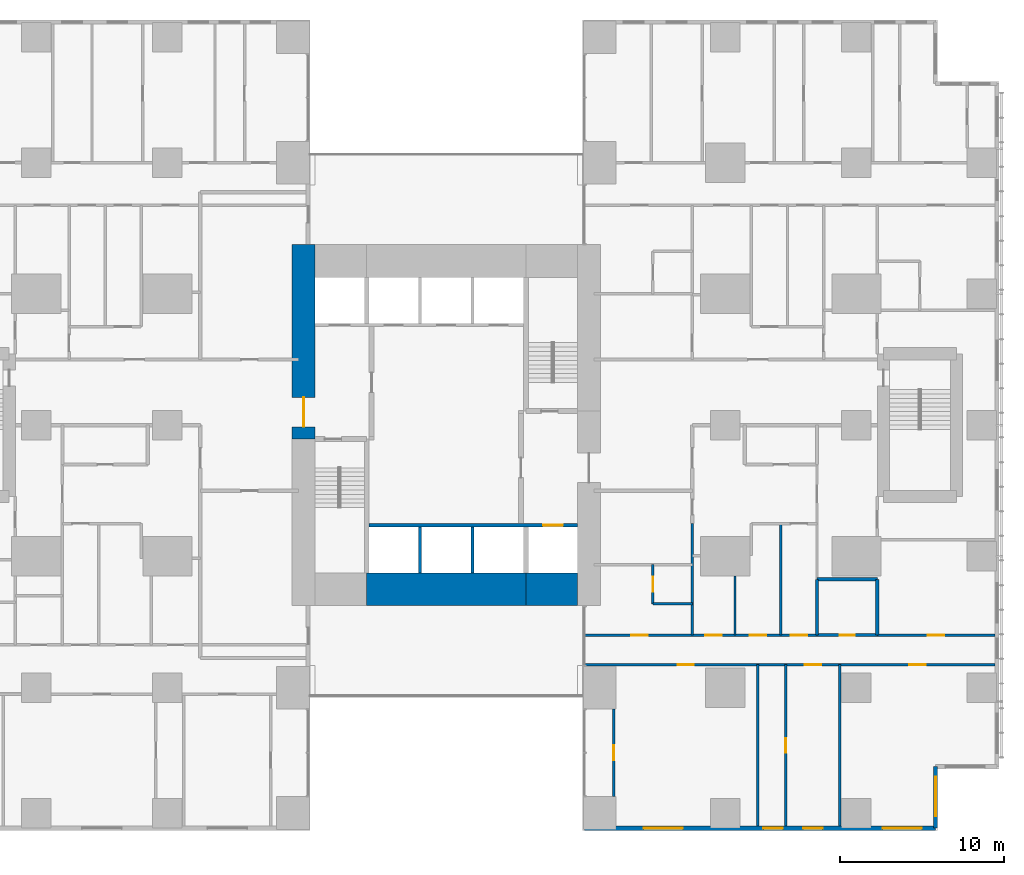
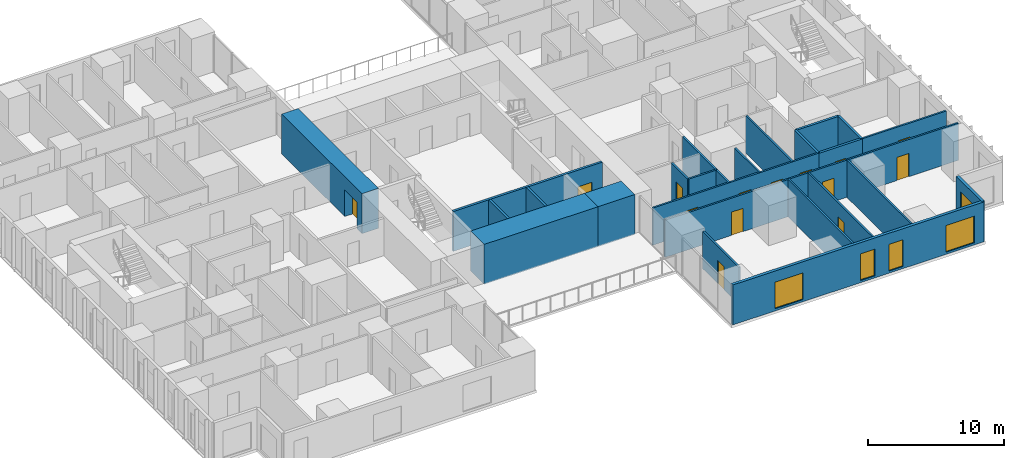
# One storey, part 14 of 20: 24 walls, 14 doors, 5 windows, 19 openings.
"""IFC4 building model written with IfcOpenShell, lengths in metres."""

from ifc_helpers import new_model, si_unit, direction, frame, frame_2d, origin, place, context, subcontext, project, spatial, rectangle, extrude, material, layer, layer_set, type_object, element, fill, save


model = new_model("IFC4")

# Units and contexts
model_context = context("Model", 3, precision=1e-05, world=origin(), true_north=direction((0.0, 1.0)))
body_context = subcontext(model_context, "Body", "Model", "MODEL_VIEW")
ifc_project = project(units=[si_unit("LENGTHUNIT", "METRE"), si_unit("AREAUNIT", "SQUARE_METRE"), si_unit("VOLUMEUNIT", "CUBIC_METRE"), si_unit("PLANEANGLEUNIT", "RADIAN"), si_unit("MASSUNIT", "GRAM", prefix="KILO")], contexts=[model_context])

# Site, building, storey
site_placement = place(None, origin())
site = spatial("IfcSite", under=ifc_project, at=site_placement, CompositionType="ELEMENT")
building_placement = place(site_placement, origin())
building = spatial("IfcBuilding", under=site, at=building_placement, Name="Cleftline Residences", CompositionType="ELEMENT")
storey_placement = place(building_placement, frame((0.0, 0.0, 182.199951171875)))
storey = spatial("IfcBuildingStorey", under=building, at=storey_placement, Name="L47", CompositionType="ELEMENT", Elevation=182.199951171875)

# Wall, opening, door
ifc_material_1 = material(Name="Concrete B70", Category="concrete")
ifc_layer_1 = layer(ifc_material_1, 1.39990234375)
ifc_layer_set_1 = layer_set([ifc_layer_1], Name="CORE WALL 1400")
wall_type_1 = type_object("IfcWallType", Name="CORE WALL 1400", PredefinedType="SHEAR", material=ifc_layer_set_1)
wall_1_placement = place(storey_placement, frame((24.300048828125, 23.14990234375, 0.0), z_axis=(0.0, 0.0, 1.0), x_axis=(0.0, 1.0, 0.0)))
wall_1 = element("IfcWall", 1, at=wall_1_placement, inside=storey, type_object=wall_type_1, Name="Core wall W", PredefinedType="SHEAR", context=body_context, shape_type="SweptSolid", body=[
    extrude(rectangle(XDim=11.85009765625, YDim=1.39990234375, at=frame_2d((5.925048828125, 0.0))), origin(), (0.0, 0.0, 1.0), 3.60009765625),
])
opening_1_placement = place(wall_1_placement, frame((0.75, 0.0, 0.0)))
opening_1 = element("IfcOpeningElement", 2, at=opening_1_placement, cuts=wall_1, Name="Opening D7", PredefinedType="OPENING", context=body_context, shape_type="SweptSolid", body=[
    extrude(rectangle(XDim=1.800048828125, YDim=2.39990234375, at=frame_2d((0.89990234375, 1.199951171875))), frame((0.0, 0.7099609375, 0.0), z_axis=(0.0, -1.0, 0.0), x_axis=(1.0, 0.0, 0.0)), (0.0, 0.0, 1.0), 1.419921875),
])
ifc_material_2 = material(Name="Steel", Category="steel")
door_type_1 = type_object("IfcDoorType", Name="WING DOOR 1800X2400", OperationType="DOUBLE_DOOR_DOUBLE_SWING", PredefinedType="DOOR", material=ifc_material_2)
door_1_placement = place(opening_1_placement, origin())
door_1 = element("IfcDoor", 3, at=door_1_placement, inside=storey, type_object=door_type_1, Name="West wing door", OperationType="DOUBLE_DOOR_DOUBLE_SWING", OverallHeight=2.39990234375, OverallWidth=1.800048828125, PredefinedType="DOOR", context=body_context, shape_type="SweptSolid", body=[
    extrude(rectangle(XDim=1.800048828125, YDim=2.39990234375, at=frame_2d((0.89990234375, 1.199951171875))), frame((0.0, 0.02490234375, 0.0), z_axis=(0.0, -1.0, 0.0), x_axis=(1.0, 0.0, 0.0)), (0.0, 0.0, 1.0), 0.050048828125),
])
fill(opening_1, door_1)

# Walls
ifc_material_3 = material(Name="Concrete B70", Category="concrete")
ifc_layer_2 = layer(ifc_material_3, 2.0)
ifc_layer_set_2 = layer_set([ifc_layer_2], Name="CORE WALL 2000")
wall_type_2 = type_object("IfcWallType", Name="CORE WALL 2000", PredefinedType="SHEAR", material=ifc_layer_set_2)
wall_2_placement = place(storey_placement, frame((28.14990234375, 14.0, 0.0), z_axis=(0.0, 0.0, 1.0), x_axis=(1.0, 0.0, 0.0)))
element("IfcWall", 4, at=wall_2_placement, inside=storey, type_object=wall_type_2, Name="Core wall S2", PredefinedType="SHEAR", context=body_context, shape_type="SweptSolid", body=[
    extrude(rectangle(XDim=9.7001953125, YDim=2.0, at=frame_2d((4.85009765625, 0.0))), origin(), (0.0, 0.0, 1.0), 3.60009765625),
])
wall_3_placement = place(storey_placement, frame((37.85009765625, 14.0, 0.0), z_axis=(0.0, 0.0, 1.0), x_axis=(1.0, 0.0, 0.0)))
element("IfcWall", 5, at=wall_3_placement, inside=storey, type_object=wall_type_2, Name="Core wall S3", PredefinedType="SHEAR", context=body_context, shape_type="SweptSolid", body=[
    extrude(rectangle(XDim=3.14990234375, YDim=2.0, at=frame_2d((1.574951171875, 0.0))), origin(), (0.0, 0.0, 1.0), 3.60009765625),
])

# Wall, openings, windows
ifc_material_4 = material(Name="Rendered reinforced concrete blockwork", Category="masonry")
ifc_layer_3 = layer(ifc_material_4, 0.25)
ifc_layer_set_3 = layer_set([ifc_layer_3], Name="EXTERNAL WALL 250")
wall_type_3 = type_object("IfcWallType", Name="EXTERNAL WALL 250", PredefinedType="SOLIDWALL", material=ifc_layer_set_3)
wall_4_placement = place(storey_placement, frame((41.425048828125, -0.574951171875, 0.0), z_axis=(0.0, 0.0, 1.0), x_axis=(1.0, 0.0, 0.0)))
wall_4 = element("IfcWall", 6, at=wall_4_placement, inside=storey, type_object=wall_type_3, Name="External wall", PredefinedType="SOLIDWALL", context=body_context, shape_type="SweptSolid", body=[
    extrude(rectangle(XDim=21.39990234375, YDim=0.25, at=frame_2d((10.699951171875, 0.0))), origin(), (0.0, 0.0, 1.0), 3.60009765625),
])
opening_2_placement = place(wall_4_placement, frame((3.60009765625, 0.0, 0.199951171875)))
opening_2 = element("IfcOpeningElement", 7, at=opening_2_placement, cuts=wall_4, Name="Opening W9", PredefinedType="OPENING", context=body_context, shape_type="SweptSolid", body=[
    extrude(rectangle(XDim=2.39990234375, YDim=2.39990234375, at=frame_2d((1.199951171875, 1.199951171875))), frame((0.0, 0.135009765625, 0.0), z_axis=(0.0, -1.0, 0.0), x_axis=(1.0, 0.0, 0.0)), (0.0, 0.0, 1.0), 0.27001953125),
])
opening_3_placement = place(wall_4_placement, frame((10.89990234375, 0.0, 0.199951171875)))
opening_3 = element("IfcOpeningElement", 8, at=opening_3_placement, cuts=wall_4, Name="Opening W13", PredefinedType="OPENING", context=body_context, shape_type="SweptSolid", body=[
    extrude(rectangle(XDim=1.199951171875, YDim=2.39990234375, at=frame_2d((0.60009765625, 1.199951171875))), frame((0.0, 0.135009765625, 0.0), z_axis=(0.0, -1.0, 0.0), x_axis=(1.0, 0.0, 0.0)), (0.0, 0.0, 1.0), 0.27001953125),
])
opening_4_placement = place(wall_4_placement, frame((13.324951171875, 0.0, 0.199951171875)))
opening_4 = element("IfcOpeningElement", 9, at=opening_4_placement, cuts=wall_4, Name="Opening W13", PredefinedType="OPENING", context=body_context, shape_type="SweptSolid", body=[
    extrude(rectangle(XDim=1.199951171875, YDim=2.39990234375, at=frame_2d((0.60009765625, 1.199951171875))), frame((0.0, 0.135009765625, 0.0), z_axis=(0.0, -1.0, 0.0), x_axis=(1.0, 0.0, 0.0)), (0.0, 0.0, 1.0), 0.27001953125),
])
opening_5_placement = place(wall_4_placement, frame((18.175048828125, 0.0, 0.199951171875)))
opening_5 = element("IfcOpeningElement", 10, at=opening_5_placement, cuts=wall_4, Name="Opening W9", PredefinedType="OPENING", context=body_context, shape_type="SweptSolid", body=[
    extrude(rectangle(XDim=2.39990234375, YDim=2.39990234375, at=frame_2d((1.199951171875, 1.199951171875))), frame((0.0, 0.135009765625, 0.0), z_axis=(0.0, -1.0, 0.0), x_axis=(1.0, 0.0, 0.0)), (0.0, 0.0, 1.0), 0.27001953125),
])
ifc_material_5 = material(Name="Aluminium frame, clear double glazing", Category="aluminium")
window_type_1 = type_object("IfcWindowType", Name="WINDOW 1200X2400", PartitioningType="DOUBLE_PANEL_VERTICAL", PredefinedType="WINDOW", material=ifc_material_5)
window_1_placement = place(opening_3_placement, origin())
window_1 = element("IfcWindow", 11, at=window_1_placement, inside=storey, type_object=window_type_1, Name="Window", OverallHeight=2.39990234375, OverallWidth=1.199951171875, PartitioningType="SINGLE_PANEL", PredefinedType="WINDOW", context=body_context, shape_type="SweptSolid", body=[
    extrude(rectangle(XDim=1.199951171875, YDim=2.39990234375, at=frame_2d((0.60009765625, 1.199951171875))), frame((0.0, 0.030029296875, 0.0), z_axis=(0.0, -1.0, 0.0), x_axis=(1.0, 0.0, 0.0)), (0.0, 0.0, 1.0), 0.06005859375),
])
fill(opening_3, window_1)
window_2_placement = place(opening_4_placement, origin())
window_2 = element("IfcWindow", 12, at=window_2_placement, inside=storey, type_object=window_type_1, Name="Window", OverallHeight=2.39990234375, OverallWidth=1.199951171875, PartitioningType="SINGLE_PANEL", PredefinedType="WINDOW", context=body_context, shape_type="SweptSolid", body=[
    extrude(rectangle(XDim=1.199951171875, YDim=2.39990234375, at=frame_2d((0.60009765625, 1.199951171875))), frame((0.0, 0.030029296875, 0.0), z_axis=(0.0, -1.0, 0.0), x_axis=(1.0, 0.0, 0.0)), (0.0, 0.0, 1.0), 0.06005859375),
])
fill(opening_4, window_2)
ifc_material_6 = material(Name="Aluminium frame, clear double glazing", Category="aluminium")
window_type_2 = type_object("IfcWindowType", Name="WINDOW 2400X2400", PartitioningType="DOUBLE_PANEL_VERTICAL", PredefinedType="WINDOW", material=ifc_material_6)
window_3_placement = place(opening_2_placement, origin())
window_3 = element("IfcWindow", 13, at=window_3_placement, inside=storey, type_object=window_type_2, Name="Window", OverallHeight=2.39990234375, OverallWidth=2.39990234375, PartitioningType="SINGLE_PANEL", PredefinedType="WINDOW", context=body_context, shape_type="SweptSolid", body=[
    extrude(rectangle(XDim=2.39990234375, YDim=2.39990234375, at=frame_2d((1.199951171875, 1.199951171875))), frame((0.0, 0.030029296875, 0.0), z_axis=(0.0, -1.0, 0.0), x_axis=(1.0, 0.0, 0.0)), (0.0, 0.0, 1.0), 0.06005859375),
])
fill(opening_2, window_3)
window_4_placement = place(opening_5_placement, origin())
window_4 = element("IfcWindow", 14, at=window_4_placement, inside=storey, type_object=window_type_2, Name="Window", OverallHeight=2.39990234375, OverallWidth=2.39990234375, PartitioningType="SINGLE_PANEL", PredefinedType="WINDOW", context=body_context, shape_type="SweptSolid", body=[
    extrude(rectangle(XDim=2.39990234375, YDim=2.39990234375, at=frame_2d((1.199951171875, 1.199951171875))), frame((0.0, 0.030029296875, 0.0), z_axis=(0.0, -1.0, 0.0), x_axis=(1.0, 0.0, 0.0)), (0.0, 0.0, 1.0), 0.06005859375),
])
fill(opening_5, window_4)

# Wall, opening, window
wall_5_placement = place(storey_placement, frame((62.824951171875, -0.574951171875, 0.0), z_axis=(0.0, 0.0, 1.0), x_axis=(0.0, 1.0, 0.0)))
wall_5 = element("IfcWall", 15, at=wall_5_placement, inside=storey, type_object=wall_type_3, Name="External wall", PredefinedType="SOLIDWALL", context=body_context, shape_type="SweptSolid", body=[
    extrude(rectangle(XDim=3.75, YDim=0.25, at=frame_2d((1.875, 0.0))), origin(), (0.0, 0.0, 1.0), 3.60009765625),
])
opening_6_placement = place(wall_5_placement, frame((0.737548828125, 0.0, 0.199951171875)))
opening_6 = element("IfcOpeningElement", 16, at=opening_6_placement, cuts=wall_5, Name="Opening W9", PredefinedType="OPENING", context=body_context, shape_type="SweptSolid", body=[
    extrude(rectangle(XDim=2.39990234375, YDim=2.39990234375, at=frame_2d((1.199951171875, 1.199951171875))), frame((0.0, 0.135009765625, 0.0), z_axis=(0.0, -1.0, 0.0), x_axis=(1.0, 0.0, 0.0)), (0.0, 0.0, 1.0), 0.27001953125),
])
window_5_placement = place(opening_6_placement, origin())
window_5 = element("IfcWindow", 17, at=window_5_placement, inside=storey, type_object=window_type_2, Name="Window", OverallHeight=2.39990234375, OverallWidth=2.39990234375, PartitioningType="SINGLE_PANEL", PredefinedType="WINDOW", context=body_context, shape_type="SweptSolid", body=[
    extrude(rectangle(XDim=2.39990234375, YDim=2.39990234375, at=frame_2d((1.199951171875, 1.199951171875))), frame((0.0, 0.030029296875, 0.0), z_axis=(0.0, -1.0, 0.0), x_axis=(1.0, 0.0, 0.0)), (0.0, 0.0, 1.0), 0.06005859375),
])
fill(opening_6, window_5)

# Wall, opening, door
ifc_material_7 = material(Name="Concrete blockwork, fire rated", Category="masonry")
ifc_layer_4 = layer(ifc_material_7, 0.199951171875)
ifc_layer_set_4 = layer_set([ifc_layer_4], Name="FIRE WALL 200")
wall_type_4 = type_object("IfcWallType", Name="FIRE WALL 200", PredefinedType="PARTITIONING", material=ifc_layer_set_4)
wall_6_placement = place(storey_placement, frame((55.60009765625, 11.199951171875, 0.0), z_axis=(0.0, 0.0, 1.0), x_axis=(1.0, 0.0, 0.0)))
wall_6 = element("IfcWall", 18, at=wall_6_placement, inside=storey, type_object=wall_type_4, Name="Fire separating wall", PredefinedType="PARTITIONING", context=body_context, shape_type="SweptSolid", body=[
    extrude(rectangle(XDim=3.6748046875, YDim=0.199951171875, at=frame_2d((1.83740234375, 0.0))), origin(), (0.0, 0.0, 1.0), 3.35009765625),
])
opening_7_placement = place(wall_6_placement, frame((1.387451171875, 0.0, 0.0)))
opening_7 = element("IfcOpeningElement", 19, at=opening_7_placement, cuts=wall_6, Name="Opening D1F30", PredefinedType="OPENING", context=body_context, shape_type="SweptSolid", body=[
    extrude(rectangle(XDim=0.89990234375, YDim=2.10009765625, at=frame_2d((0.449951171875, 1.050048828125))), frame((0.0, 0.10986328125, 0.0), z_axis=(0.0, -1.0, 0.0), x_axis=(1.0, 0.0, 0.0)), (0.0, 0.0, 1.0), 0.219970703125),
])
ifc_material_8 = material(Name="Timber veneer on solid core", Category="wood")
door_type_2 = type_object("IfcDoorType", Name="DOOR 900X2100 EI 30", OperationType="SINGLE_SWING_LEFT", PredefinedType="DOOR", material=ifc_material_8)
door_2_placement = place(opening_7_placement, origin())
door_2 = element("IfcDoor", 20, at=door_2_placement, inside=storey, type_object=door_type_2, Name="Door to guest wc", OperationType="SINGLE_SWING_LEFT", OverallHeight=2.10009765625, OverallWidth=0.89990234375, PredefinedType="DOOR", context=body_context, shape_type="SweptSolid", body=[
    extrude(rectangle(XDim=0.89990234375, YDim=2.10009765625, at=frame_2d((0.449951171875, 1.050048828125))), frame((0.0, 0.02490234375, 0.0), z_axis=(0.0, -1.0, 0.0), x_axis=(1.0, 0.0, 0.0)), (0.0, 0.0, 1.0), 0.050048828125),
])
fill(opening_7, door_2)

# Walls
wall_7_placement = place(storey_placement, frame((55.60009765625, 14.60009765625, 0.0), z_axis=(0.0, 0.0, 1.0), x_axis=(1.0, 0.0, 0.0)))
element("IfcWall", 21, at=wall_7_placement, inside=storey, type_object=wall_type_4, Name="Fire separating wall", PredefinedType="PARTITIONING", context=body_context, shape_type="SweptSolid", body=[
    extrude(rectangle(XDim=3.6748046875, YDim=0.199951171875, at=frame_2d((1.83740234375, 0.0))), origin(), (0.0, 0.0, 1.0), 3.35009765625),
])
for number, where, z_axis, x_axis, name in (
    (22, (55.60009765625, 11.199951171875, 0.0), (0.0, 0.0, 1.0), (0.0, 1.0, 0.0), "Fire separating wall"),
    (23, (59.27490234375, 11.199951171875, 0.0), (0.0, 0.0, 1.0), (0.0, 1.0, 0.0), "Fire separating wall"),
):
    element("IfcWall", number, at=place(storey_placement, frame(where, z_axis=z_axis, x_axis=x_axis)), inside=storey, type_object=wall_type_4, Name=name, PredefinedType="PARTITIONING", context=body_context, shape_type="SweptSolid", body=[
        extrude(rectangle(XDim=3.400146484375, YDim=0.199951171875, at=frame_2d((1.7001953125, 0.0))), origin(), (0.0, 0.0, 1.0), 3.35009765625),
    ])

# Wall, openings, doors
ifc_material_9 = material(Name="Gypsum board on steel studs", Category="steel")
ifc_layer_5 = layer(ifc_material_9, 0.14990234375)
ifc_layer_set_5 = layer_set([ifc_layer_5], Name="PARTITION 150")
wall_type_5 = type_object("IfcWallType", Name="PARTITION 150", PredefinedType="PARTITIONING", material=ifc_layer_set_5)
wall_8_placement = place(storey_placement, frame((41.43896484375, 9.39990234375, 0.0), z_axis=(0.0, 0.0, 1.0), x_axis=(1.0, 0.0, 0.0)))
wall_8 = element("IfcWall", 24, at=wall_8_placement, inside=storey, type_object=wall_type_5, Name="Partition", PredefinedType="PARTITIONING", context=body_context, shape_type="SweptSolid", body=[
    extrude(rectangle(XDim=25.010986328125, YDim=0.14990234375, at=frame_2d((12.50537109375, 0.0))), origin(), (0.0, 0.0, 1.0), 3.35009765625),
])
opening_8_placement = place(wall_8_placement, frame((19.785888671875, 0.0, 0.0)))
opening_8 = element("IfcOpeningElement", 25, at=opening_8_placement, cuts=wall_8, Name="Opening D2", PredefinedType="OPENING", context=body_context, shape_type="SweptSolid", body=[
    extrude(rectangle(XDim=1.0, YDim=2.10009765625, at=frame_2d((0.5, 1.050048828125))), frame((0.0, 0.0849609375, 0.0), z_axis=(0.0, -1.0, 0.0), x_axis=(1.0, 0.0, 0.0)), (0.0, 0.0, 1.0), 0.169921875),
])
opening_9_placement = place(wall_8_placement, frame((13.410888671875, 0.0, 0.0)))
opening_9 = element("IfcOpeningElement", 26, at=opening_9_placement, cuts=wall_8, Name="Opening D2", PredefinedType="OPENING", context=body_context, shape_type="SweptSolid", body=[
    extrude(rectangle(XDim=1.0, YDim=2.10009765625, at=frame_2d((0.5, 1.050048828125))), frame((0.0, 0.0849609375, 0.0), z_axis=(0.0, -1.0, 0.0), x_axis=(1.0, 0.0, 0.0)), (0.0, 0.0, 1.0), 0.169921875),
])
opening_10_placement = place(wall_8_placement, frame((5.660888671875, 0.0, 0.0)))
opening_10 = element("IfcOpeningElement", 27, at=opening_10_placement, cuts=wall_8, Name="Opening D2", PredefinedType="OPENING", context=body_context, shape_type="SweptSolid", body=[
    extrude(rectangle(XDim=1.0, YDim=2.10009765625, at=frame_2d((0.5, 1.050048828125))), frame((0.0, 0.0849609375, 0.0), z_axis=(0.0, -1.0, 0.0), x_axis=(1.0, 0.0, 0.0)), (0.0, 0.0, 1.0), 0.169921875),
])
ifc_material_10 = material(Name="Timber veneer on solid core", Category="wood")
door_type_3 = type_object("IfcDoorType", Name="DOOR 1000X2100", OperationType="SINGLE_SWING_LEFT", PredefinedType="DOOR", material=ifc_material_10)
door_3_placement = place(opening_8_placement, origin())
door_3 = element("IfcDoor", 28, at=door_3_placement, inside=storey, type_object=door_type_3, Name="Door to sea-view dining room", OperationType="SINGLE_SWING_LEFT", OverallHeight=2.10009765625, OverallWidth=1.0, PredefinedType="DOOR", context=body_context, shape_type="SweptSolid", body=[
    extrude(rectangle(XDim=1.0, YDim=2.10009765625, at=frame_2d((0.5, 1.050048828125))), frame((0.0, 0.02490234375, 0.0), z_axis=(0.0, -1.0, 0.0), x_axis=(1.0, 0.0, 0.0)), (0.0, 0.0, 1.0), 0.050048828125),
])
fill(opening_8, door_3)
door_4_placement = place(opening_9_placement, origin())
door_4 = element("IfcDoor", 29, at=door_4_placement, inside=storey, type_object=door_type_3, Name="Door to show kitchen", OperationType="SINGLE_SWING_LEFT", OverallHeight=2.10009765625, OverallWidth=1.0, PredefinedType="DOOR", context=body_context, shape_type="SweptSolid", body=[
    extrude(rectangle(XDim=1.0, YDim=2.10009765625, at=frame_2d((0.5, 1.050048828125))), frame((0.0, 0.02490234375, 0.0), z_axis=(0.0, -1.0, 0.0), x_axis=(1.0, 0.0, 0.0)), (0.0, 0.0, 1.0), 0.050048828125),
])
fill(opening_9, door_4)
door_5_placement = place(opening_10_placement, origin())
door_5 = element("IfcDoor", 30, at=door_5_placement, inside=storey, type_object=door_type_3, Name="Door to family room", OperationType="SINGLE_SWING_RIGHT", OverallHeight=2.10009765625, OverallWidth=1.0, PredefinedType="DOOR", context=body_context, shape_type="SweptSolid", body=[
    extrude(rectangle(XDim=1.0, YDim=2.10009765625, at=frame_2d((0.5, 1.050048828125))), frame((0.0, 0.02490234375, 0.0), z_axis=(0.0, -1.0, 0.0), x_axis=(1.0, 0.0, 0.0)), (0.0, 0.0, 1.0), 0.050048828125),
])
fill(opening_10, door_5)

wall_9_placement = place(storey_placement, frame((41.43896484375, 11.199951171875, 0.0), z_axis=(0.0, 0.0, 1.0), x_axis=(1.0, 0.0, 0.0)))
wall_9 = element("IfcWall", 31, at=wall_9_placement, inside=storey, type_object=wall_type_5, Name="Partition", PredefinedType="PARTITIONING", context=body_context, shape_type="SweptSolid", body=[
    extrude(rectangle(XDim=14.1611328125, YDim=0.14990234375, at=frame_2d((7.08056640625, 0.0))), origin(), (0.0, 0.0, 1.0), 3.35009765625),
])
opening_11_placement = place(wall_9_placement, frame((12.56103515625, 0.0, 0.0)))
opening_11 = element("IfcOpeningElement", 32, at=opening_11_placement, cuts=wall_9, Name="Opening D2F30", PredefinedType="OPENING", context=body_context, shape_type="SweptSolid", body=[
    extrude(rectangle(XDim=1.0, YDim=2.10009765625, at=frame_2d((0.5, 1.050048828125))), frame((0.0, 0.0849609375, 0.0), z_axis=(0.0, -1.0, 0.0), x_axis=(1.0, 0.0, 0.0)), (0.0, 0.0, 1.0), 0.169921875),
])
opening_12_placement = place(wall_9_placement, frame((10.06103515625, 0.0, 0.0)))
opening_12 = element("IfcOpeningElement", 33, at=opening_12_placement, cuts=wall_9, Name="Opening D2F30", PredefinedType="OPENING", context=body_context, shape_type="SweptSolid", body=[
    extrude(rectangle(XDim=1.0, YDim=2.10009765625, at=frame_2d((0.5, 1.050048828125))), frame((0.0, 0.0849609375, 0.0), z_axis=(0.0, -1.0, 0.0), x_axis=(1.0, 0.0, 0.0)), (0.0, 0.0, 1.0), 0.169921875),
])
opening_13_placement = place(wall_9_placement, frame((7.361083984375, 0.0, 0.0)))
opening_13 = element("IfcOpeningElement", 34, at=opening_13_placement, cuts=wall_9, Name="Opening D2F30", PredefinedType="OPENING", context=body_context, shape_type="SweptSolid", body=[
    extrude(rectangle(XDim=1.0, YDim=2.10009765625, at=frame_2d((0.5, 1.050048828125))), frame((0.0, 0.0849609375, 0.0), z_axis=(0.0, -1.0, 0.0), x_axis=(1.0, 0.0, 0.0)), (0.0, 0.0, 1.0), 0.169921875),
])
opening_14_placement = place(wall_9_placement, frame((2.8359375, 0.0, 0.0)))
opening_14 = element("IfcOpeningElement", 35, at=opening_14_placement, cuts=wall_9, Name="Opening D2F30", PredefinedType="OPENING", context=body_context, shape_type="SweptSolid", body=[
    extrude(rectangle(XDim=1.0, YDim=2.10009765625, at=frame_2d((0.5, 1.050048828125))), frame((0.0, 0.0849609375, 0.0), z_axis=(0.0, -1.0, 0.0), x_axis=(1.0, 0.0, 0.0)), (0.0, 0.0, 1.0), 0.169921875),
])
ifc_material_11 = material(Name="Timber veneer on solid core", Category="wood")
door_type_4 = type_object("IfcDoorType", Name="DOOR 1000X2100 EI 30", OperationType="SINGLE_SWING_LEFT", PredefinedType="DOOR", material=ifc_material_11)
door_6_placement = place(opening_11_placement, origin())
door_6 = element("IfcDoor", 36, at=door_6_placement, inside=storey, type_object=door_type_4, Name="Door to residence hall (gallery)", OperationType="SINGLE_SWING_LEFT", OverallHeight=2.10009765625, OverallWidth=1.0, PredefinedType="DOOR", context=body_context, shape_type="SweptSolid", body=[
    extrude(rectangle(XDim=1.0, YDim=2.10009765625, at=frame_2d((0.5, 1.050048828125))), frame((0.0, 0.02490234375, 0.0), z_axis=(0.0, -1.0, 0.0), x_axis=(1.0, 0.0, 0.0)), (0.0, 0.0, 1.0), 0.050048828125),
])
fill(opening_11, door_6)
door_7_placement = place(opening_12_placement, origin())
door_7 = element("IfcDoor", 37, at=door_7_placement, inside=storey, type_object=door_type_4, Name="Door to wet kitchen", OperationType="SINGLE_SWING_LEFT", OverallHeight=2.10009765625, OverallWidth=1.0, PredefinedType="DOOR", context=body_context, shape_type="SweptSolid", body=[
    extrude(rectangle(XDim=1.0, YDim=2.10009765625, at=frame_2d((0.5, 1.050048828125))), frame((0.0, 0.02490234375, 0.0), z_axis=(0.0, -1.0, 0.0), x_axis=(1.0, 0.0, 0.0)), (0.0, 0.0, 1.0), 0.050048828125),
])
fill(opening_12, door_7)
door_8_placement = place(opening_13_placement, origin())
door_8 = element("IfcDoor", 38, at=door_8_placement, inside=storey, type_object=door_type_4, Name="Door to library", OperationType="SINGLE_SWING_LEFT", OverallHeight=2.10009765625, OverallWidth=1.0, PredefinedType="DOOR", context=body_context, shape_type="SweptSolid", body=[
    extrude(rectangle(XDim=1.0, YDim=2.10009765625, at=frame_2d((0.5, 1.050048828125))), frame((0.0, 0.02490234375, 0.0), z_axis=(0.0, -1.0, 0.0), x_axis=(1.0, 0.0, 0.0)), (0.0, 0.0, 1.0), 0.050048828125),
])
fill(opening_13, door_8)
door_9_placement = place(opening_14_placement, origin())
door_9 = element("IfcDoor", 39, at=door_9_placement, inside=storey, type_object=door_type_4, Name="Door to staff bedroom", OperationType="SINGLE_SWING_RIGHT", OverallHeight=2.10009765625, OverallWidth=1.0, PredefinedType="DOOR", context=body_context, shape_type="SweptSolid", body=[
    extrude(rectangle(XDim=1.0, YDim=2.10009765625, at=frame_2d((0.5, 1.050048828125))), frame((0.0, 0.02490234375, 0.0), z_axis=(0.0, -1.0, 0.0), x_axis=(1.0, 0.0, 0.0)), (0.0, 0.0, 1.0), 0.050048828125),
])
fill(opening_14, door_9)

# Wall, opening, door
wall_10_placement = place(storey_placement, frame((59.27490234375, 11.199951171875, 0.0), z_axis=(0.0, 0.0, 1.0), x_axis=(1.0, 0.0, 0.0)))
wall_10 = element("IfcWall", 40, at=wall_10_placement, inside=storey, type_object=wall_type_5, Name="Partition", PredefinedType="PARTITIONING", context=body_context, shape_type="SweptSolid", body=[
    extrude(rectangle(XDim=7.175048828125, YDim=0.14990234375, at=frame_2d((3.58740234375, 0.0))), origin(), (0.0, 0.0, 1.0), 3.35009765625),
])
opening_15_placement = place(wall_10_placement, frame((3.08740234375, 0.0, 0.0)))
opening_15 = element("IfcOpeningElement", 41, at=opening_15_placement, cuts=wall_10, Name="Opening D2", PredefinedType="OPENING", context=body_context, shape_type="SweptSolid", body=[
    extrude(rectangle(XDim=1.0, YDim=2.10009765625, at=frame_2d((0.5, 1.050048828125))), frame((0.0, 0.0849609375, 0.0), z_axis=(0.0, -1.0, 0.0), x_axis=(1.0, 0.0, 0.0)), (0.0, 0.0, 1.0), 0.169921875),
])
door_10_placement = place(opening_15_placement, origin())
door_10 = element("IfcDoor", 42, at=door_10_placement, inside=storey, type_object=door_type_3, Name="Door to sea-view living room", OperationType="SINGLE_SWING_LEFT", OverallHeight=2.10009765625, OverallWidth=1.0, PredefinedType="DOOR", context=body_context, shape_type="SweptSolid", body=[
    extrude(rectangle(XDim=1.0, YDim=2.10009765625, at=frame_2d((0.5, 1.050048828125))), frame((0.0, 0.02490234375, 0.0), z_axis=(0.0, -1.0, 0.0), x_axis=(1.0, 0.0, 0.0)), (0.0, 0.0, 1.0), 0.050048828125),
])
fill(opening_15, door_10)

# Wall
wall_11_placement = place(storey_placement, frame((45.60009765625, 13.10009765625, 0.0), z_axis=(0.0, 0.0, 1.0), x_axis=(1.0, 0.0, 0.0)))
element("IfcWall", 43, at=wall_11_placement, inside=storey, type_object=wall_type_5, Name="Partition", PredefinedType="PARTITIONING", context=body_context, shape_type="SweptSolid", body=[
    extrude(rectangle(XDim=2.39990234375, YDim=0.14990234375, at=frame_2d((1.199951171875, 0.0))), origin(), (0.0, 0.0, 1.0), 3.35009765625),
])

# Wall, opening, door
wall_12_placement = place(storey_placement, frame((43.199951171875, 1.35009765625, 0.0), z_axis=(0.0, 0.0, 1.0), x_axis=(0.0, 1.0, 0.0)))
wall_12 = element("IfcWall", 44, at=wall_12_placement, inside=storey, type_object=wall_type_5, Name="Partition", PredefinedType="PARTITIONING", context=body_context, shape_type="SweptSolid", body=[
    extrude(rectangle(XDim=5.349853515625, YDim=0.14990234375, at=frame_2d((2.6748046875, 0.0))), origin(), (0.0, 0.0, 1.0), 3.35009765625),
])
opening_16_placement = place(wall_12_placement, frame((2.22509765625, 0.0, 0.0)))
opening_16 = element("IfcOpeningElement", 45, at=opening_16_placement, cuts=wall_12, Name="Opening D1", PredefinedType="OPENING", context=body_context, shape_type="SweptSolid", body=[
    extrude(rectangle(XDim=0.89990234375, YDim=2.10009765625, at=frame_2d((0.449951171875, 1.050048828125))), frame((0.0, 0.0849609375, 0.0), z_axis=(0.0, -1.0, 0.0), x_axis=(1.0, 0.0, 0.0)), (0.0, 0.0, 1.0), 0.169921875),
])
ifc_material_12 = material(Name="Timber veneer on solid core", Category="wood")
door_type_5 = type_object("IfcDoorType", Name="DOOR 900X2100", OperationType="SINGLE_SWING_LEFT", PredefinedType="DOOR", material=ifc_material_12)
door_11_placement = place(opening_16_placement, origin())
door_11 = element("IfcDoor", 46, at=door_11_placement, inside=storey, type_object=door_type_5, Name="Door to library", OperationType="SINGLE_SWING_LEFT", OverallHeight=2.10009765625, OverallWidth=0.89990234375, PredefinedType="DOOR", context=body_context, shape_type="SweptSolid", body=[
    extrude(rectangle(XDim=0.89990234375, YDim=2.10009765625, at=frame_2d((0.449951171875, 1.050048828125))), frame((0.0, 0.02490234375, 0.0), z_axis=(0.0, -1.0, 0.0), x_axis=(1.0, 0.0, 0.0)), (0.0, 0.0, 1.0), 0.050048828125),
])
fill(opening_16, door_11)

wall_13_placement = place(storey_placement, frame((45.60009765625, 13.10009765625, 0.0), z_axis=(0.0, 0.0, 1.0), x_axis=(0.0, 1.0, 0.0)))
wall_13 = element("IfcWall", 47, at=wall_13_placement, inside=storey, type_object=wall_type_5, Name="Partition", PredefinedType="PARTITIONING", context=body_context, shape_type="SweptSolid", body=[
    extrude(rectangle(XDim=2.39990234375, YDim=0.14990234375, at=frame_2d((1.199951171875, 0.0))), origin(), (0.0, 0.0, 1.0), 3.35009765625),
])
opening_17_placement = place(wall_13_placement, frame((0.75, 0.0, 0.0)))
opening_17 = element("IfcOpeningElement", 48, at=opening_17_placement, cuts=wall_13, Name="Opening D1", PredefinedType="OPENING", context=body_context, shape_type="SweptSolid", body=[
    extrude(rectangle(XDim=0.89990234375, YDim=2.10009765625, at=frame_2d((0.449951171875, 1.050048828125))), frame((0.0, 0.0849609375, 0.0), z_axis=(0.0, -1.0, 0.0), x_axis=(1.0, 0.0, 0.0)), (0.0, 0.0, 1.0), 0.169921875),
])
door_12_placement = place(opening_17_placement, origin())
door_12 = element("IfcDoor", 49, at=door_12_placement, inside=storey, type_object=door_type_5, Name="Door to staff shower room", OperationType="SINGLE_SWING_LEFT", OverallHeight=2.10009765625, OverallWidth=0.89990234375, PredefinedType="DOOR", context=body_context, shape_type="SweptSolid", body=[
    extrude(rectangle(XDim=0.89990234375, YDim=2.10009765625, at=frame_2d((0.449951171875, 1.050048828125))), frame((0.0, 0.02490234375, 0.0), z_axis=(0.0, -1.0, 0.0), x_axis=(1.0, 0.0, 0.0)), (0.0, 0.0, 1.0), 0.050048828125),
])
fill(opening_17, door_12)

# Walls
wall_14_placement = place(storey_placement, frame((48.0, 11.199951171875, 0.0), z_axis=(0.0, 0.0, 1.0), x_axis=(0.0, 1.0, 0.0)))
element("IfcWall", 50, at=wall_14_placement, inside=storey, type_object=wall_type_5, Name="Partition", PredefinedType="PARTITIONING", context=body_context, shape_type="SweptSolid", body=[
    extrude(rectangle(XDim=6.800048828125, YDim=0.14990234375, at=frame_2d((3.39990234375, 0.0))), origin(), (0.0, 0.0, 1.0), 3.35009765625),
])
wall_15_placement = place(storey_placement, frame((50.60009765625, 11.199951171875, 0.0), z_axis=(0.0, 0.0, 1.0), x_axis=(0.0, 1.0, 0.0)))
element("IfcWall", 51, at=wall_15_placement, inside=storey, type_object=wall_type_5, Name="Partition", PredefinedType="PARTITIONING", context=body_context, shape_type="SweptSolid", body=[
    extrude(rectangle(XDim=3.60009765625, YDim=0.14990234375, at=frame_2d((1.800048828125, 0.0))), origin(), (0.0, 0.0, 1.0), 3.35009765625),
])
wall_16_placement = place(storey_placement, frame((52.0, -0.449951171875, 0.0), z_axis=(0.0, 0.0, 1.0), x_axis=(0.0, 1.0, 0.0)))
element("IfcWall", 52, at=wall_16_placement, inside=storey, type_object=wall_type_5, Name="Partition", PredefinedType="PARTITIONING", context=body_context, shape_type="SweptSolid", body=[
    extrude(rectangle(XDim=9.849853515625, YDim=0.14990234375, at=frame_2d((4.9248046875, 0.0))), origin(), (0.0, 0.0, 1.0), 3.35009765625),
])
wall_17_placement = place(storey_placement, frame((53.39990234375, 11.199951171875, 0.0), z_axis=(0.0, 0.0, 1.0), x_axis=(0.0, 1.0, 0.0)))
element("IfcWall", 53, at=wall_17_placement, inside=storey, type_object=wall_type_5, Name="Partition", PredefinedType="PARTITIONING", context=body_context, shape_type="SweptSolid", body=[
    extrude(rectangle(XDim=6.800048828125, YDim=0.14990234375, at=frame_2d((3.39990234375, 0.0))), origin(), (0.0, 0.0, 1.0), 3.35009765625),
])

# Wall, opening, door
wall_18_placement = place(storey_placement, frame((53.699951171875, -0.449951171875, 0.0), z_axis=(0.0, 0.0, 1.0), x_axis=(0.0, 1.0, 0.0)))
wall_18 = element("IfcWall", 54, at=wall_18_placement, inside=storey, type_object=wall_type_5, Name="Partition", PredefinedType="PARTITIONING", context=body_context, shape_type="SweptSolid", body=[
    extrude(rectangle(XDim=9.849853515625, YDim=0.14990234375, at=frame_2d((4.9248046875, 0.0))), origin(), (0.0, 0.0, 1.0), 3.35009765625),
])
opening_18_placement = place(wall_18_placement, frame((4.47509765625, 0.0, 0.0)))
opening_18 = element("IfcOpeningElement", 55, at=opening_18_placement, cuts=wall_18, Name="Opening D1", PredefinedType="OPENING", context=body_context, shape_type="SweptSolid", body=[
    extrude(rectangle(XDim=0.89990234375, YDim=2.10009765625, at=frame_2d((0.449951171875, 1.050048828125))), frame((0.0, 0.0849609375, 0.0), z_axis=(0.0, -1.0, 0.0), x_axis=(1.0, 0.0, 0.0)), (0.0, 0.0, 1.0), 0.169921875),
])
door_13_placement = place(opening_18_placement, origin())
door_13 = element("IfcDoor", 56, at=door_13_placement, inside=storey, type_object=door_type_5, Name="Door to larder", OperationType="SINGLE_SWING_LEFT", OverallHeight=2.10009765625, OverallWidth=0.89990234375, PredefinedType="DOOR", context=body_context, shape_type="SweptSolid", body=[
    extrude(rectangle(XDim=0.89990234375, YDim=2.10009765625, at=frame_2d((0.449951171875, 1.050048828125))), frame((0.0, 0.02490234375, 0.0), z_axis=(0.0, -1.0, 0.0), x_axis=(1.0, 0.0, 0.0)), (0.0, 0.0, 1.0), 0.050048828125),
])
fill(opening_18, door_13)

# Wall
wall_19_placement = place(storey_placement, frame((57.0, -0.449951171875, 0.0), z_axis=(0.0, 0.0, 1.0), x_axis=(0.0, 1.0, 0.0)))
element("IfcWall", 57, at=wall_19_placement, inside=storey, type_object=wall_type_5, Name="Partition", PredefinedType="PARTITIONING", context=body_context, shape_type="SweptSolid", body=[
    extrude(rectangle(XDim=9.849853515625, YDim=0.14990234375, at=frame_2d((4.9248046875, 0.0))), origin(), (0.0, 0.0, 1.0), 3.35009765625),
])

# Wall, opening, door
ifc_material_13 = material(Name="Concrete blockwork, fire rated", Category="masonry")
ifc_layer_6 = layer(ifc_material_13, 0.199951171875)
ifc_layer_set_6 = layer_set([ifc_layer_6], Name="SHAFT WALL 200")
wall_type_6 = type_object("IfcWallType", Name="SHAFT WALL 200", PredefinedType="PARTITIONING", material=ifc_layer_set_6)
wall_20_placement = place(storey_placement, frame((28.300048828125, 17.89990234375, 0.0), z_axis=(0.0, 0.0, 1.0), x_axis=(1.0, 0.0, 0.0)))
wall_20 = element("IfcWall", 58, at=wall_20_placement, inside=storey, type_object=wall_type_6, Name="Lift shaft wall", PredefinedType="PARTITIONING", context=body_context, shape_type="SweptSolid", body=[
    extrude(rectangle(XDim=12.699951171875, YDim=0.199951171875, at=frame_2d((6.35009765625, 0.0))), origin(), (0.0, 0.0, 1.0), 3.60009765625),
])
opening_19_placement = place(wall_20_placement, frame((10.60009765625, 0.0, 0.0)))
opening_19 = element("IfcOpeningElement", 59, at=opening_19_placement, cuts=wall_20, Name="Opening LD2", PredefinedType="OPENING", context=body_context, shape_type="SweptSolid", body=[
    extrude(rectangle(XDim=1.199951171875, YDim=2.10009765625, at=frame_2d((0.60009765625, 1.050048828125))), frame((0.0, 0.10986328125, 0.0), z_axis=(0.0, -1.0, 0.0), x_axis=(1.0, 0.0, 0.0)), (0.0, 0.0, 1.0), 0.219970703125),
])
ifc_material_14 = material(Name="Steel", Category="steel")
door_type_6 = type_object("IfcDoorType", Name="FIREFIGHTING LIFT LANDING DOOR 1200X2100", OperationType="SLIDING_TO_LEFT", PredefinedType="DOOR", material=ifc_material_14)
door_14_placement = place(opening_19_placement, origin())
door_14 = element("IfcDoor", 60, at=door_14_placement, inside=storey, type_object=door_type_6, Name="Lift FL2 landing door", OperationType="SLIDING_TO_LEFT", OverallHeight=2.10009765625, OverallWidth=1.199951171875, PredefinedType="DOOR", context=body_context, shape_type="SweptSolid", body=[
    extrude(rectangle(XDim=1.199951171875, YDim=2.10009765625, at=frame_2d((0.60009765625, 1.050048828125))), frame((0.0, 0.02490234375, 0.0), z_axis=(0.0, -1.0, 0.0), x_axis=(1.0, 0.0, 0.0)), (0.0, 0.0, 1.0), 0.050048828125),
])
fill(opening_19, door_14)

# Walls
for number, where, z_axis, x_axis, name in (
    (61, (31.39990234375, 15.0, 0.0), (0.0, 0.0, 1.0), (0.0, 1.0, 0.0), "Lift shaft wall"),
    (62, (34.60009765625, 15.0, 0.0), (0.0, 0.0, 1.0), (0.0, 1.0, 0.0), "Lift shaft wall"),
):
    element("IfcWall", number, at=place(storey_placement, frame(where, z_axis=z_axis, x_axis=x_axis)), inside=storey, type_object=wall_type_6, Name=name, PredefinedType="PARTITIONING", context=body_context, shape_type="SweptSolid", body=[
        extrude(rectangle(XDim=2.800048828125, YDim=0.199951171875, at=frame_2d((1.39990234375, 0.0))), origin(), (0.0, 0.0, 1.0), 3.60009765625),
    ])

save(model, "model.ifc")
